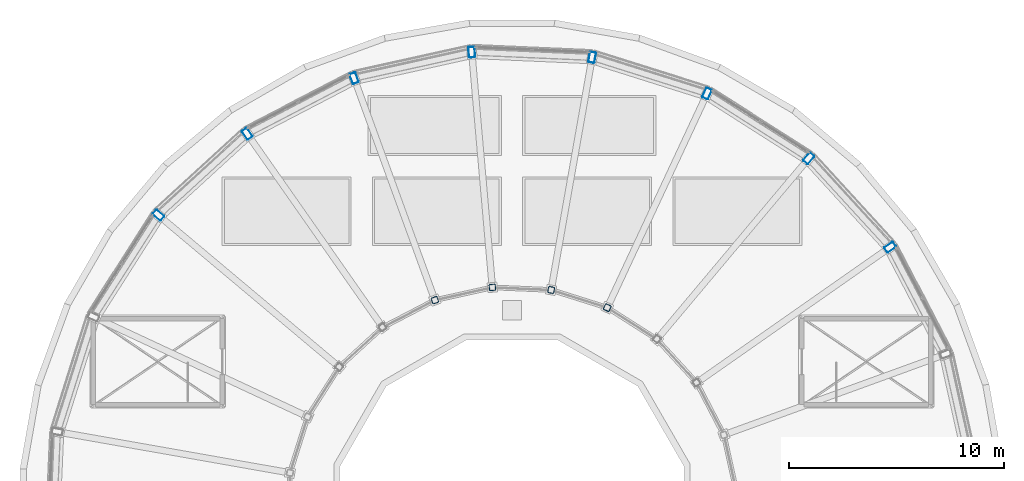
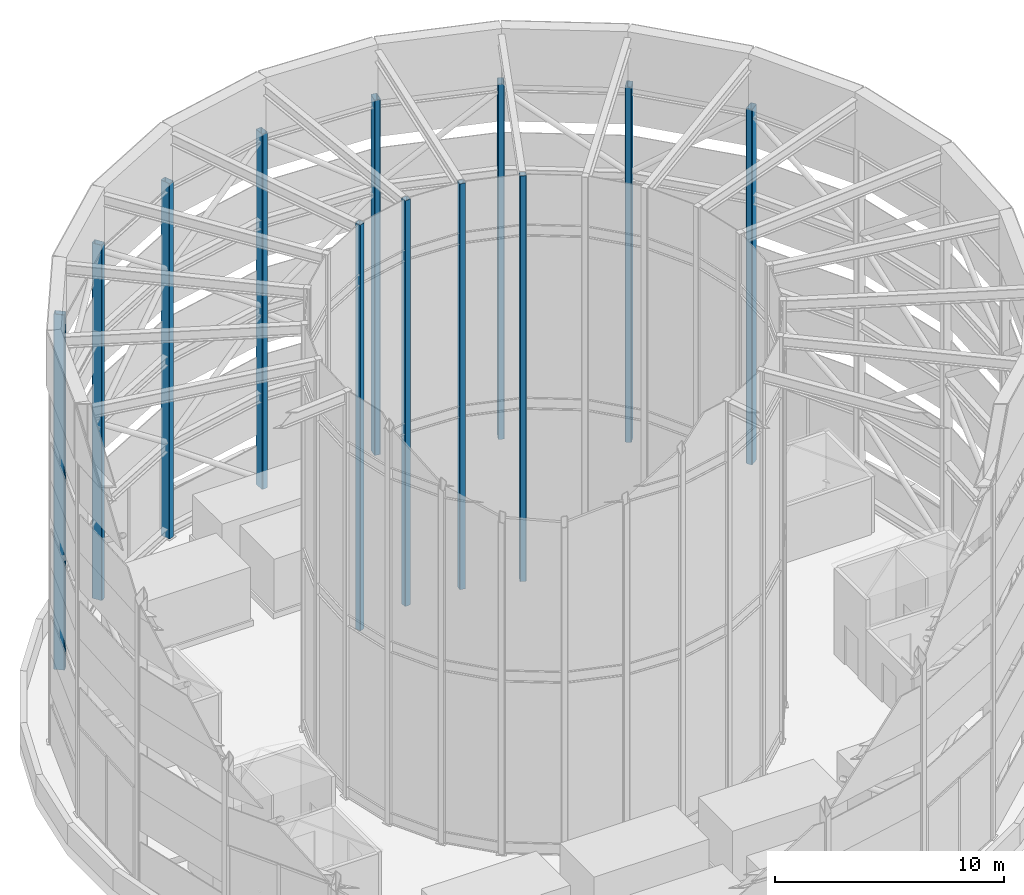
# One storey, part 3 of 20: 12 columns.
"""IFC4 building model written with IfcOpenShell, lengths in metres."""

from ifc_helpers import new_model, si_unit, direction, frame, origin, origin_2d, place, context, subcontext, project, spatial, hollow_rectangle, extrude, material, material_profile, profile_set, type_object, element, save


model = new_model("IFC4")

# Units and contexts
model_context = context("Model", 3, precision=1e-05, world=origin(), true_north=direction((0.0, 1.0)))
body_context = subcontext(model_context, "Body", "Model", "MODEL_VIEW")
ifc_project = project(units=[si_unit("LENGTHUNIT", "METRE"), si_unit("AREAUNIT", "SQUARE_METRE"), si_unit("VOLUMEUNIT", "CUBIC_METRE"), si_unit("PLANEANGLEUNIT", "RADIAN"), si_unit("MASSUNIT", "GRAM", prefix="KILO")], contexts=[model_context])

# Site, building, storey
site_placement = place(None, origin())
site = spatial("IfcSite", under=ifc_project, at=site_placement, CompositionType="ELEMENT")
building_placement = place(site_placement, origin())
building = spatial("IfcBuilding", under=site, at=building_placement, Name="Saqina Gate Tower", CompositionType="ELEMENT")
storey_placement = place(building_placement, frame((0.0, 0.0, 284.199951171875)))
storey = spatial("IfcBuildingStorey", under=building, at=storey_placement, Name="RF", CompositionType="ELEMENT", Elevation=284.199951171875)

# Columns
ifc_material_1 = material(Name="Steel S460", Category="steel")
ifc_material_profile_1 = material_profile(ifc_material_1, hollow_rectangle(XDim=0.300048828125, YDim=0.300048828125, WallThickness=0.01611328125, InnerFilletRadius=0.031982421875, OuterFilletRadius=0.048095703125, at=origin_2d()), Name="SHS 300x300x16")
ifc_profile_set_1 = profile_set([ifc_material_profile_1], Name="Steel S460")
column_type_1 = type_object("IfcColumnType", Name="STR-CROWN FRAME COLUMN INNER-SHS 300x300x16", PredefinedType="COLUMN", material=ifc_profile_set_1)
for number, where, z_axis, x_axis, name in (
    (1, (4.4375, 9.51611328125, 0.025146484375), (0.0, 0.0, 1.0), (0.422618261741, 0.906307787037, 0.0), "CROWN FRAME COLUMN INNER 05"),
    (2, (1.8232421875, 10.340576171875, 0.025146484375), (0.0, 0.0, 1.0), (0.173648177667, 0.984807753012, 0.0), "CROWN FRAME COLUMN INNER 06"),
    (3, (-0.9150390625, 10.4599609375, 0.025146484375), (0.0, 0.0, 1.0), (-0.087155742748, 0.996194698092, 0.0), "CROWN FRAME COLUMN INNER 07"),
    (4, (-3.59130859375, 9.86669921875, 0.025146484375), (0.0, 0.0, 1.0), (-0.342020143326, 0.939692620786, 0.0), "CROWN FRAME COLUMN INNER 08"),
):
    element("IfcColumn", number, at=place(storey_placement, frame(where, z_axis=z_axis, x_axis=x_axis)), inside=storey, type_object=column_type_1, Name=name, PredefinedType="COLUMN", context=body_context, shape_type="SweptSolid", body=[
        extrude(hollow_rectangle(XDim=0.300048828125, YDim=0.300048828125, WallThickness=0.01611328125, InnerFilletRadius=0.031982421875, OuterFilletRadius=0.048095703125, at=origin_2d()), origin(), (0.0, 0.0, 1.0), 21.6748046875),
    ])
ifc_material_2 = material(Name="Steel S460", Category="steel")
ifc_material_profile_2 = material_profile(ifc_material_2, hollow_rectangle(XDim=0.300048828125, YDim=0.5, WallThickness=0.01611328125, InnerFilletRadius=0.031982421875, OuterFilletRadius=0.048095703125, at=origin_2d()), Name="RHS 500x300x16")
ifc_profile_set_2 = profile_set([ifc_material_profile_2], Name="Steel S460")
column_type_2 = type_object("IfcColumnType", Name="STR-CROWN FRAME COLUMN OUTER-RHS 500x300x16", PredefinedType="COLUMN", material=ifc_profile_set_2)
for number, where, z_axis, x_axis, name in (
    (5, (17.61181640625, 12.331787109375, 0.025146484375), (0.0, 0.0, 1.0), (-0.573576436351, 0.819152044289, 0.0), "CROWN FRAME COLUMN 03"),
    (6, (13.81982421875, 16.469970703125, 0.025146484375), (0.0, 0.0, 1.0), (-0.766044443119, 0.642787609687, 0.0), "CROWN FRAME COLUMN 04"),
    (7, (9.086181640625, 19.485595703125, 0.025146484375), (0.0, 0.0, 1.0), (-0.906307787037, 0.422618261741, 0.0), "CROWN FRAME COLUMN 05"),
    (8, (3.7333984375, 21.17333984375, 0.025146484375), (0.0, 0.0, 1.0), (-0.984807753012, 0.173648177667, 0.0), "CROWN FRAME COLUMN 06"),
    (9, (-1.873779296875, 21.418212890625, 0.025146484375), (0.0, 0.0, 1.0), (-0.996194698092, -0.087155742748, 0.0), "CROWN FRAME COLUMN 07"),
    (10, (-7.353515625, 20.203369140625, 0.025146484375), (0.0, 0.0, 1.0), (-0.939692620786, -0.342020143326, 0.0), "CROWN FRAME COLUMN 08"),
    (11, (-12.331787109375, 17.61181640625, 0.025146484375), (0.0, 0.0, 1.0), (-0.819152044289, -0.573576436351, 0.0), "CROWN FRAME COLUMN 09"),
    (12, (-16.469970703125, 13.81982421875, 0.025146484375), (0.0, 0.0, 1.0), (-0.642787609687, -0.766044443119, 0.0), "CROWN FRAME COLUMN 10"),
):
    element("IfcColumn", number, at=place(storey_placement, frame(where, z_axis=z_axis, x_axis=x_axis)), inside=storey, type_object=column_type_2, Name=name, PredefinedType="COLUMN", context=body_context, shape_type="SweptSolid", body=[
        extrude(hollow_rectangle(XDim=0.300048828125, YDim=0.5, WallThickness=0.01611328125, InnerFilletRadius=0.031982421875, OuterFilletRadius=0.048095703125, at=origin_2d()), origin(), (0.0, 0.0, 1.0), 18.974853515625),
    ])

save(model, "model.ifc")
